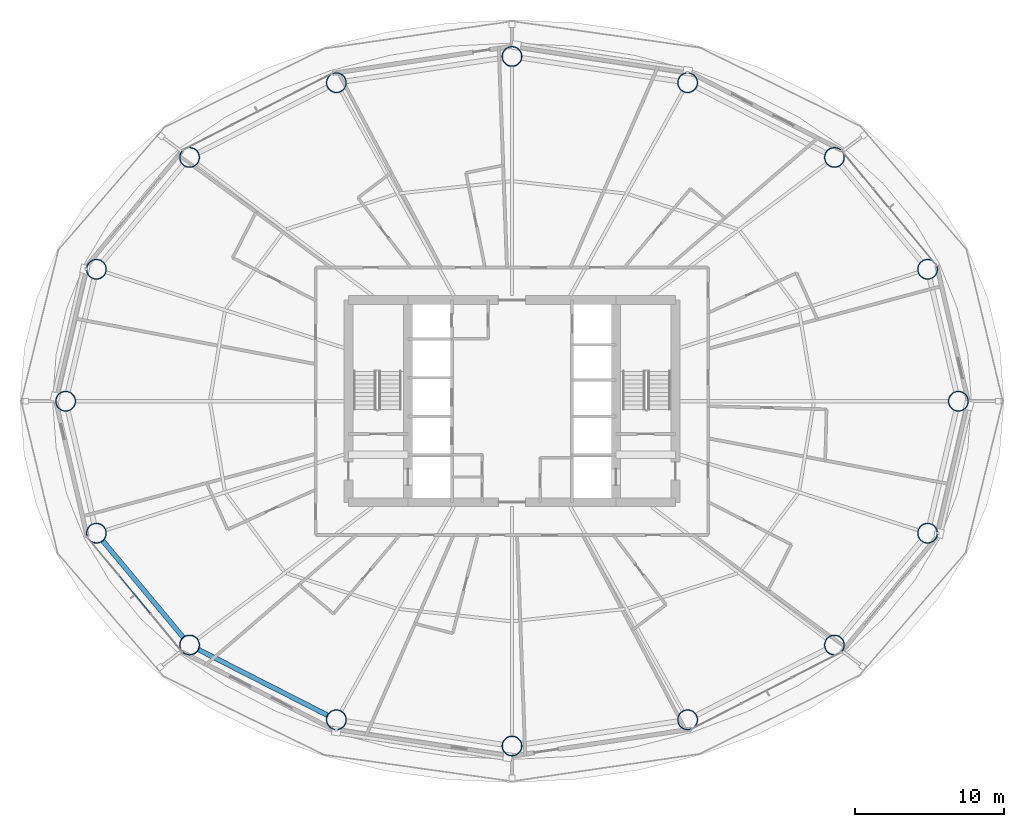
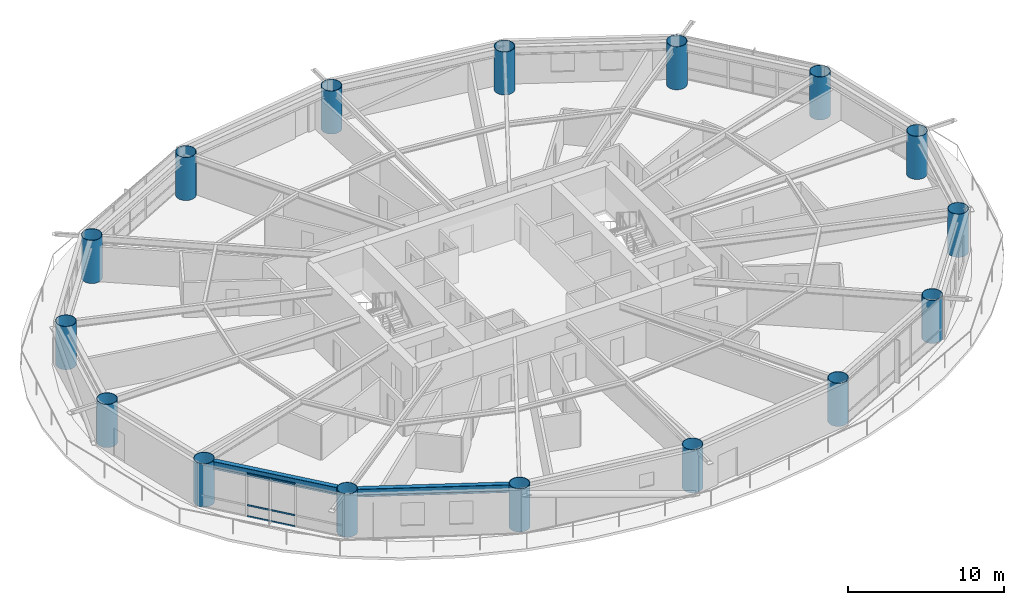
# One storey, part 1 of 26: 16 columns, 3 members, 2 beams, 1 element without a shape of its own.
"""IFC4 building model written with IfcOpenShell, lengths in metres."""

from ifc_helpers import new_model, si_unit, direction, frame, origin, origin_2d, place, context, subcontext, project, spatial, hollow_rectangle, hollow_circle, i_section, extrude, material, layer, layer_set, material_profile, profile_set, type_object, element, aggregate, save


model = new_model("IFC4")

# Units and contexts
model_context = context("Model", 3, precision=1e-05, world=origin(), true_north=direction((0.0, 1.0)))
body_context = subcontext(model_context, "Body", "Model", "MODEL_VIEW")
ifc_project = project(units=[si_unit("LENGTHUNIT", "METRE"), si_unit("AREAUNIT", "SQUARE_METRE"), si_unit("VOLUMEUNIT", "CUBIC_METRE"), si_unit("PLANEANGLEUNIT", "RADIAN"), si_unit("MASSUNIT", "GRAM", prefix="KILO")], contexts=[model_context])

# Site, building, storey
site_placement = place(None, origin())
site = spatial("IfcSite", under=ifc_project, at=site_placement, CompositionType="ELEMENT")
building_placement = place(site_placement, origin())
building = spatial("IfcBuilding", under=site, at=building_placement, Name="Sarneth Arch Tower", CompositionType="ELEMENT")
storey_placement = place(building_placement, frame((0.0, 0.0, 42.60009765625)))
storey = spatial("IfcBuildingStorey", under=building, at=storey_placement, Name="L09", CompositionType="ELEMENT", Elevation=42.60009765625)

# Columns
ifc_material_1 = material(Name="Steel S355", Category="steel")
ifc_material_profile_1 = material_profile(ifc_material_1, hollow_circle(Radius=0.675048828125, WallThickness=0.035888671875, at=origin_2d()), Name="CHS1350x36")
ifc_profile_set_1 = profile_set([ifc_material_profile_1], Name="Steel S355")
column_type = type_object("IfcColumnType", Name="COL-MEGA-1350", PredefinedType="COLUMN", material=ifc_profile_set_1)
for number, where, z_axis, x_axis, name in (
    (1, (78.034912109375, 42.0, 0.0), (0.0, 0.0, 1.0), (1.0, 0.0, 0.0), "L09 Perimeter mega-column M01"),
    (2, (75.965576171875, 50.878173828125, 0.0), (0.0, 0.0, 1.0), (1.0, 0.0, 0.0), "L09 Perimeter mega-column M02"),
    (3, (69.696533203125, 58.40478515625, 0.0), (0.0, 0.0, 1.0), (1.0, 0.0, 0.0), "L09 Perimeter mega-column M03"),
    (4, (59.81787109375, 63.43408203125, 0.0), (0.0, 0.0, 1.0), (1.0, 0.0, 0.0), "L09 Perimeter mega-column M04"),
    (5, (48.0, 65.199951171875, 0.0), (0.0, 0.0, 1.0), (1.0, 0.0, 0.0), "L09 Perimeter mega-column M05"),
    (6, (36.18212890625, 63.43408203125, 0.0), (0.0, 0.0, 1.0), (1.0, 0.0, 0.0), "L09 Perimeter mega-column M06"),
    (7, (26.303466796875, 58.40478515625, 0.0), (0.0, 0.0, 1.0), (1.0, 0.0, 0.0), "L09 Perimeter mega-column M07"),
    (8, (20.034423828125, 50.878173828125, 0.0), (0.0, 0.0, 1.0), (1.0, 0.0, 0.0), "L09 Perimeter mega-column M08"),
    (9, (17.965087890625, 42.0, 0.0), (0.0, 0.0, 1.0), (1.0, 0.0, 0.0), "L09 Perimeter mega-column M09"),
    (10, (20.034423828125, 33.121826171875, 0.0), (0.0, 0.0, 1.0), (1.0, 0.0, 0.0), "L09 Perimeter mega-column M10"),
    (11, (26.303466796875, 25.59521484375, 0.0), (0.0, 0.0, 1.0), (1.0, 0.0, 0.0), "L09 Perimeter mega-column M11"),
    (12, (36.18212890625, 20.56591796875, 0.0), (0.0, 0.0, 1.0), (1.0, 0.0, 0.0), "L09 Perimeter mega-column M12"),
    (13, (48.0, 18.800048828125, 0.0), (0.0, 0.0, 1.0), (1.0, 0.0, 0.0), "L09 Perimeter mega-column M13"),
    (14, (59.81787109375, 20.56591796875, 0.0), (0.0, 0.0, 1.0), (1.0, 0.0, 0.0), "L09 Perimeter mega-column M14"),
    (15, (69.696533203125, 25.59521484375, 0.0), (0.0, 0.0, 1.0), (1.0, 0.0, 0.0), "L09 Perimeter mega-column M15"),
    (16, (75.965576171875, 33.121826171875, 0.0), (0.0, 0.0, 1.0), (1.0, 0.0, 0.0), "L09 Perimeter mega-column M16"),
):
    element("IfcColumn", number, at=place(storey_placement, frame(where, z_axis=z_axis, x_axis=x_axis)), inside=storey, type_object=column_type, Name=name, PredefinedType="COLUMN", context=body_context, shape_type="SweptSolid", body=[
        extrude(hollow_circle(Radius=0.675048828125, WallThickness=0.035888671875, at=origin_2d()), origin(), (0.0, 0.0, 1.0), 3.3798828125),
    ])

# Beams
ifc_material_2 = material(Name="Steel S355", Category="steel")
ifc_material_profile_2 = material_profile(ifc_material_2, i_section(OverallWidth=0.326904296875, OverallDepth=0.6220703125, WebThickness=0.015380859375, FlangeThickness=0.0244140625, FilletRadius=0.01904296875, at=origin_2d()), Name="W610x195")
ifc_profile_set_2 = profile_set([ifc_material_profile_2], Name="Steel S355")
beam_type = type_object("IfcBeamType", Name="BM-SPAN-610A", PredefinedType="SPANDREL", material=ifc_profile_set_2)
beam_1_placement = place(storey_placement, frame((20.466552734375, 32.60302734375, 3.06884765625), z_axis=(0.639979646835, -0.768391860731, 0.0), x_axis=(0.768391860731, 0.639979646835, 0.0)))
element("IfcBeam", 17, at=beam_1_placement, inside=storey, type_object=beam_type, Name="L09 Perimeter spandrel beam 10", PredefinedType="SPANDREL", context=body_context, shape_type="SweptSolid", body=[
    extrude(i_section(OverallWidth=0.326904296875, OverallDepth=0.6220703125, WebThickness=0.015380859375, FlangeThickness=0.0244140625, FilletRadius=0.01904296875, at=origin_2d()), origin(), (0.0, 0.0, 1.0), 8.4453125),
])
beam_2_placement = place(storey_placement, frame((26.90478515625, 25.288818359375, 3.06884765625), z_axis=(0.8911738076, -0.453662037919, 0.0), x_axis=(0.453662037919, 0.8911738076, 0.0)))
element("IfcBeam", 18, at=beam_2_placement, inside=storey, type_object=beam_type, Name="L09 Perimeter spandrel beam 11", PredefinedType="SPANDREL", context=body_context, shape_type="SweptSolid", body=[
    extrude(i_section(OverallWidth=0.326904296875, OverallDepth=0.6220703125, WebThickness=0.015380859375, FlangeThickness=0.0244140625, FilletRadius=0.01904296875, at=origin_2d()), origin(), (0.0, 0.0, 1.0), 9.735107421875),
])

# Curtain wall, members
ifc_material_3 = material(Name="Anodised aluminium Type AA25 and solar-control low-e laminated IGU", Category="aluminium")
ifc_layer = layer(ifc_material_3, 0.159912109375)
ifc_layer_set = layer_set([ifc_layer], Name="Anodised aluminium Type AA25 and solar-control low-e laminated IGU")
curtain_wall_type = type_object("IfcCurtainWallType", Name="CW-HOTEL-LOW", PredefinedType="NOTDEFINED", material=ifc_layer_set)
curtain_wall_placement = place(storey_placement, origin())
curtain_wall = element("IfcCurtainWall", 19, at=curtain_wall_placement, inside=storey, type_object=curtain_wall_type, Name="L09 Unitised curtain wall facet 10", PredefinedType="NOTDEFINED")
ifc_material_4 = material(Name="Anodised Aluminium 6063-T6", Category="aluminium")
ifc_material_profile_3 = material_profile(ifc_material_4, hollow_rectangle(XDim=0.06005859375, YDim=0.1201171875, WallThickness=0.00390625, at=origin_2d()), Name="AL-TRAN-120x60x4")
ifc_profile_set_3 = profile_set([ifc_material_profile_3], Name="Anodised Aluminium 6063-T6")
member_type = type_object("IfcMemberType", Name="CW-TRANSOM", PredefinedType="USERDEFINED", material=ifc_profile_set_3)
member_1_placement = place(storey_placement, frame((21.57373046875, 30.256103515625, 0.02978515625), z_axis=(0.637268595771, -0.770641769465, 0.0), x_axis=(0.770641769465, 0.637268595771, 0.0)))
member_1 = element("IfcMember", 20, at=member_1_placement, type_object=member_type, Name="CW-SYS-3 transom 2.1", ObjectType="TRANSOM", PredefinedType="USERDEFINED", context=body_context, shape_type="SweptSolid", body=[
    extrude(hollow_rectangle(XDim=0.06005859375, YDim=0.1201171875, WallThickness=0.00390625, at=origin_2d()), origin(), (0.0, 0.0, 1.0), 3.291259765625),
])
member_2_placement = place(storey_placement, frame((21.57373046875, 30.256103515625, 0.89990234375), z_axis=(0.637268595771, -0.770641769465, 0.0), x_axis=(0.770641769465, 0.637268595771, 0.0)))
member_2 = element("IfcMember", 21, at=member_2_placement, type_object=member_type, Name="CW-SYS-3 transom 2.2", ObjectType="TRANSOM", PredefinedType="USERDEFINED", context=body_context, shape_type="SweptSolid", body=[
    extrude(hollow_rectangle(XDim=0.06005859375, YDim=0.1201171875, WallThickness=0.00390625, at=origin_2d()), origin(), (0.0, 0.0, 1.0), 3.291259765625),
])
member_3_placement = place(storey_placement, frame((21.57373046875, 30.256103515625, 3.349853515625), z_axis=(0.637268595771, -0.770641769465, 0.0), x_axis=(0.770641769465, 0.637268595771, 0.0)))
member_3 = element("IfcMember", 22, at=member_3_placement, type_object=member_type, Name="CW-SYS-3 transom 2.3", ObjectType="TRANSOM", PredefinedType="USERDEFINED", context=body_context, shape_type="SweptSolid", body=[
    extrude(hollow_rectangle(XDim=0.06005859375, YDim=0.1201171875, WallThickness=0.00390625, at=origin_2d()), origin(), (0.0, 0.0, 1.0), 3.291259765625),
])
aggregate(curtain_wall, [member_1, member_2, member_3])

save(model, "model.ifc")
